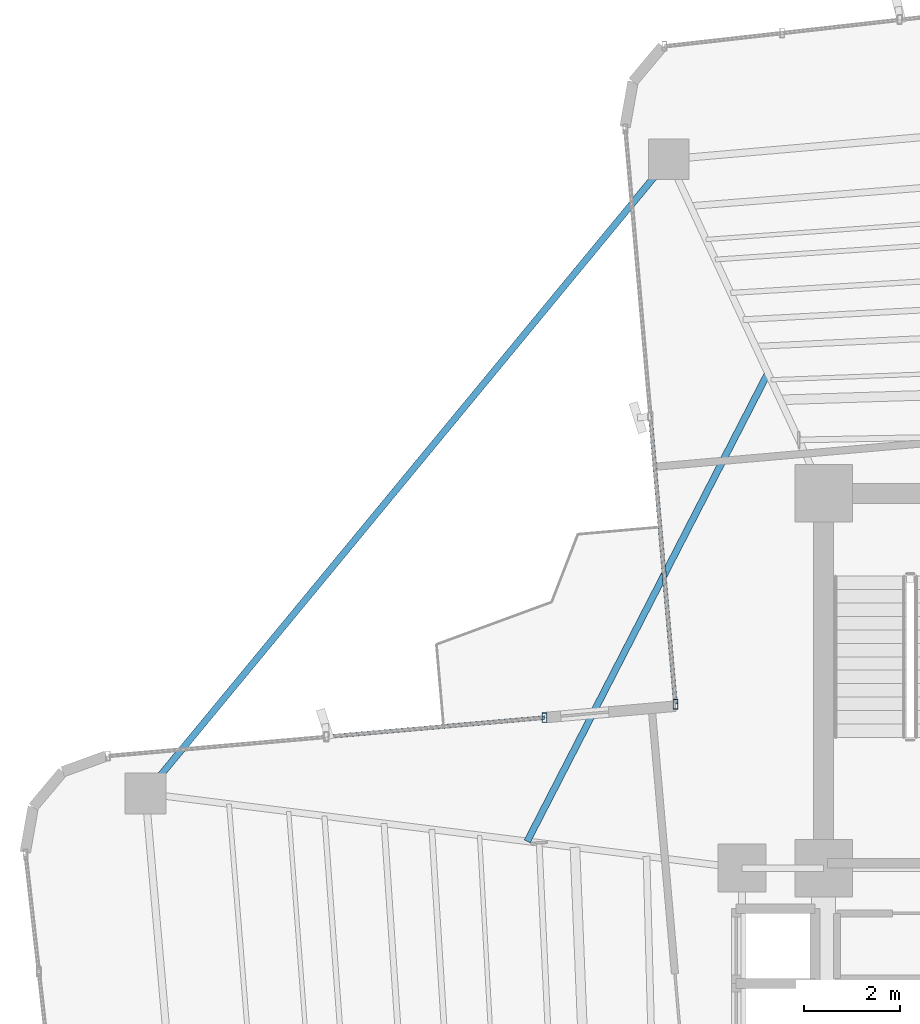
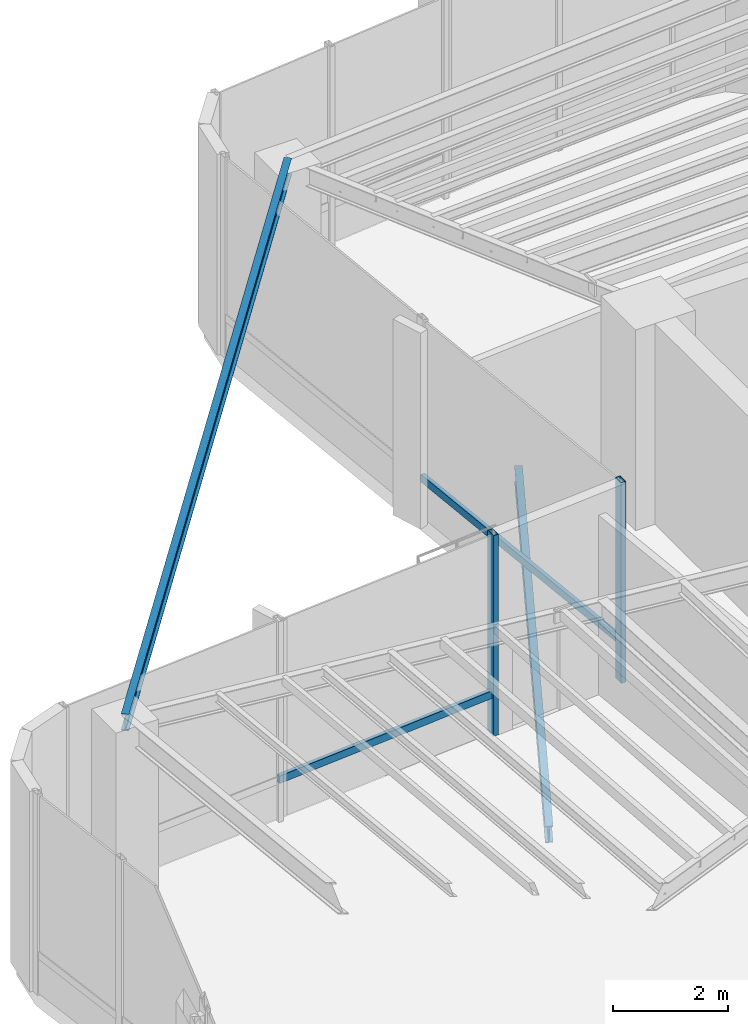
# One storey, part 5 of 19: 4 members, 2 beams, 2 elements without a shape of their own.
"""IFC4 building model written with IfcOpenShell, lengths in metres."""

from ifc_helpers import new_model, si_unit, direction, frame, origin, origin_2d, place, context, subcontext, project, spatial, hollow_rectangle, i_section, extrude, source, transform, mapped, material, material_profile, profile_set, type_object, element, aggregate, save


model = new_model("IFC4")

# Units and contexts
model_context = context("Model", 3, precision=1e-05, world=origin(), true_north=direction((0.0, 1.0)))
body_context = subcontext(model_context, "Body", "Model", "MODEL_VIEW")
ifc_project = project(units=[si_unit("LENGTHUNIT", "METRE"), si_unit("AREAUNIT", "SQUARE_METRE"), si_unit("VOLUMEUNIT", "CUBIC_METRE"), si_unit("PLANEANGLEUNIT", "RADIAN"), si_unit("MASSUNIT", "GRAM", prefix="KILO")], contexts=[model_context])

# Site, building, storey
site_placement = place(None, origin())
site = spatial("IfcSite", under=ifc_project, at=site_placement, CompositionType="ELEMENT")
building_placement = place(site_placement, origin())
building = spatial("IfcBuilding", under=site, at=building_placement, Name="Sahyath Konkavel Grand Hotel", CompositionType="ELEMENT")
storey_placement = place(building_placement, frame((0.0, 0.0, 170.699951171875)))
storey = spatial("IfcBuildingStorey", under=building, at=storey_placement, Name="L47", CompositionType="ELEMENT", Elevation=170.699951171875)

# Beam
ifc_material_1 = material(Name="Steel E350", Category="steel")
ifc_material_profile_1 = material_profile(ifc_material_1, i_section(OverallWidth=0.139892578125, OverallDepth=0.35009765625, WebThickness=0.008056640625, FlangeThickness=0.01416015625, FilletRadius=0.013916015625, at=origin_2d()), Name="ISMB 350")
ifc_profile_set_1 = profile_set([ifc_material_profile_1], Name="Steel E350")
beam_type_1 = type_object("IfcBeamType", Name="BM-ISMB350", PredefinedType="BEAM", material=ifc_profile_set_1)
shared_shape_1 = source(origin(), body_context, "Body", "SweptSolid", [
    extrude(i_section(OverallWidth=0.139892578125, OverallDepth=0.35009765625, WebThickness=0.008056640625, FlangeThickness=0.01416015625, FilletRadius=0.013916015625, at=origin_2d()), origin(), (0.0, 0.0, 1.0), 17.112548828125),
])
beam_1_placement = place(storey_placement, frame((-7.021728515625, 17.1533203125, 4.0849609375), z_axis=(-0.636437070092, -0.77132863023, 0.0), x_axis=(0.77132863023, -0.636437070092, 0.0)))
element("IfcBeam", 1, at=beam_1_placement, inside=storey, type_object=beam_type_1, Name="L47 Re-Entrant Tie Beam NW", PredefinedType="BEAM", context=body_context, shape_type="MappedRepresentation", body=[
    mapped(shared_shape_1, transform((0.0, 0.0, 0.0), scale=1.0)),
])

# Curtain wall, member
ifc_material_2 = material(Name="Anodised Bronze Aluminium & Low-E Glazing", Category="aluminium")
curtain_wall_type = type_object("IfcCurtainWallType", Name="CW-SKYLOBBY", PredefinedType="NOTDEFINED", material=ifc_material_2)
curtain_wall_1_placement = place(storey_placement, origin())
curtain_wall_1 = element("IfcCurtainWall", 2, at=curtain_wall_1_placement, inside=storey, type_object=curtain_wall_type, Name="L47 Unitised Curtain Wall F15", PredefinedType="NOTDEFINED")
ifc_material_3 = material(Name="Anodised Bronze Aluminium", Category="aluminium")
ifc_material_profile_2 = material_profile(ifc_material_3, hollow_rectangle(XDim=0.10009765625, YDim=0.199951171875, WallThickness=0.008056640625, at=origin_2d()), Name="RHS 200x100x8")
ifc_profile_set_2 = profile_set([ifc_material_profile_2], Name="Anodised Bronze Aluminium")
member_type_1 = type_object("IfcMemberType", Name="CW-MUL-200", PredefinedType="MULLION", material=ifc_profile_set_2)
shared_shape_2 = source(origin(), body_context, "Body", "SweptSolid", [
    extrude(hollow_rectangle(XDim=0.10009765625, YDim=0.199951171875, WallThickness=0.008056640625, at=origin_2d()), origin(), (0.0, 0.0, 1.0), 4.260009765625),
])
member_1_placement = place(storey_placement, frame((-6.8828125, 5.812255859375, 0.0), z_axis=(0.0, 0.0, 1.0), x_axis=(1.0, 0.0, 0.0)))
member_1 = element("IfcMember", 3, at=member_1_placement, type_object=member_type_1, Name="L47 Curtain Wall Mullion F15-2", PredefinedType="MULLION", context=body_context, shape_type="MappedRepresentation", body=[
    mapped(shared_shape_2, transform((0.0, 0.0, 0.0), scale=1.0)),
])

# Curtain wall, members
curtain_wall_2_placement = place(storey_placement, origin())
curtain_wall_2 = element("IfcCurtainWall", 4, at=curtain_wall_2_placement, inside=storey, type_object=curtain_wall_type, Name="L47 Unitised Curtain Wall F16", PredefinedType="NOTDEFINED")
member_2_placement = place(storey_placement, frame((-9.60888671875, 5.53369140625, 0.0), z_axis=(0.0, 0.0, 1.0), x_axis=(1.0, 0.0, 0.0)))
member_2 = element("IfcMember", 5, at=member_2_placement, type_object=member_type_1, Name="L47 Curtain Wall Mullion F16-0", PredefinedType="MULLION", context=body_context, shape_type="MappedRepresentation", body=[
    mapped(shared_shape_2, transform((0.0, 0.0, 0.0), scale=1.0)),
])
ifc_material_profile_3 = material_profile(ifc_material_3, hollow_rectangle(XDim=0.080078125, YDim=0.159912109375, WallThickness=0.006103515625, at=origin_2d()), Name="RHS 160x80x6")
ifc_profile_set_3 = profile_set([ifc_material_profile_3], Name="Anodised Bronze Aluminium")
member_type_2 = type_object("IfcMemberType", Name="CW-TRN-160", PredefinedType="USERDEFINED", material=ifc_profile_set_3)
shared_shape_3 = source(origin(), body_context, "Body", "SweptSolid", [
    extrude(hollow_rectangle(XDim=0.080078125, YDim=0.159912109375, WallThickness=0.006103515625, at=origin_2d()), origin(), (0.0, 0.0, 1.0), 4.56005859375),
])
member_3_placement = place(storey_placement, frame((-9.60888671875, 5.53369140625, 0.85009765625), z_axis=(-0.996189590376, -0.087214104516, 0.0), x_axis=(0.087214104516, -0.996189590376, 0.0)))
member_3 = element("IfcMember", 6, at=member_3_placement, type_object=member_type_2, Name="L47 Curtain Wall Transom F16-0-spandrel", ObjectType="TRANSOM", PredefinedType="USERDEFINED", context=body_context, shape_type="MappedRepresentation", body=[
    mapped(shared_shape_3, transform((0.0, 0.0, 0.0), scale=1.0)),
])
aggregate(curtain_wall_2, [member_2, member_3])

# Member
shared_shape_4 = source(origin(), body_context, "Body", "SweptSolid", [
    extrude(hollow_rectangle(XDim=0.080078125, YDim=0.159912109375, WallThickness=0.006103515625, at=origin_2d()), origin(), (0.0, 0.0, 1.0), 6.010009765625),
])
member_4_placement = place(storey_placement, frame((-7.406494140625, 11.79931640625, 0.85009765625), z_axis=(0.087136210597, -0.996196406741, 0.0), x_axis=(0.996196406741, 0.087136210597, 0.0)))
member_4 = element("IfcMember", 7, at=member_4_placement, type_object=member_type_2, Name="L47 Curtain Wall Transom F15-1-spandrel", ObjectType="TRANSOM", PredefinedType="USERDEFINED", context=body_context, shape_type="MappedRepresentation", body=[
    mapped(shared_shape_4, transform((0.0, 0.0, 0.0), scale=1.0)),
])

aggregate(curtain_wall_1, [member_1, member_4])

# Beam
ifc_material_profile_4 = material_profile(ifc_material_1, i_section(OverallWidth=0.139892578125, OverallDepth=0.35009765625, WebThickness=0.008056640625, FlangeThickness=0.01416015625, FilletRadius=0.013916015625, at=origin_2d()), Name="ISMB 350")
ifc_profile_set_4 = profile_set([ifc_material_profile_4], Name="Steel E350")
beam_type_2 = type_object("IfcBeamType", Name="BM-BALC-CANT", PredefinedType="BEAM", material=ifc_profile_set_4)
shared_shape_5 = source(origin(), body_context, "Body", "SweptSolid", [
    extrude(i_section(OverallWidth=0.139892578125, OverallDepth=0.35009765625, WebThickness=0.008056640625, FlangeThickness=0.01416015625, FilletRadius=0.013916015625, at=origin_2d()), origin(), (0.0, 0.0, 1.0), 10.95556640625),
])
beam_2_placement = place(storey_placement, frame((-4.959716796875, 12.703125, -0.474853515625), z_axis=(-0.457186878355, -0.889370652912, 0.0), x_axis=(0.889370652912, -0.457186878355, 0.0)))
element("IfcBeam", 8, at=beam_2_placement, inside=storey, type_object=beam_type_2, Name="L47 Balcony Cantilever Support Beam NW", PredefinedType="BEAM", context=body_context, shape_type="MappedRepresentation", body=[
    mapped(shared_shape_5, transform((0.0, 0.0, 0.0), scale=1.0)),
])

save(model, "model.ifc")
